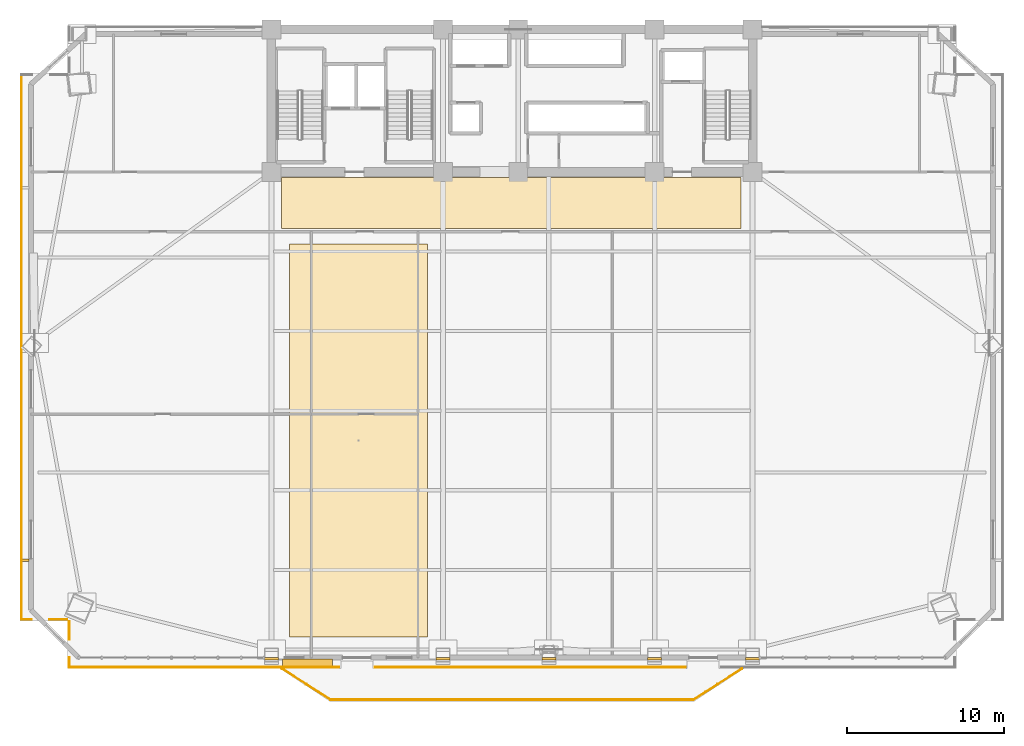
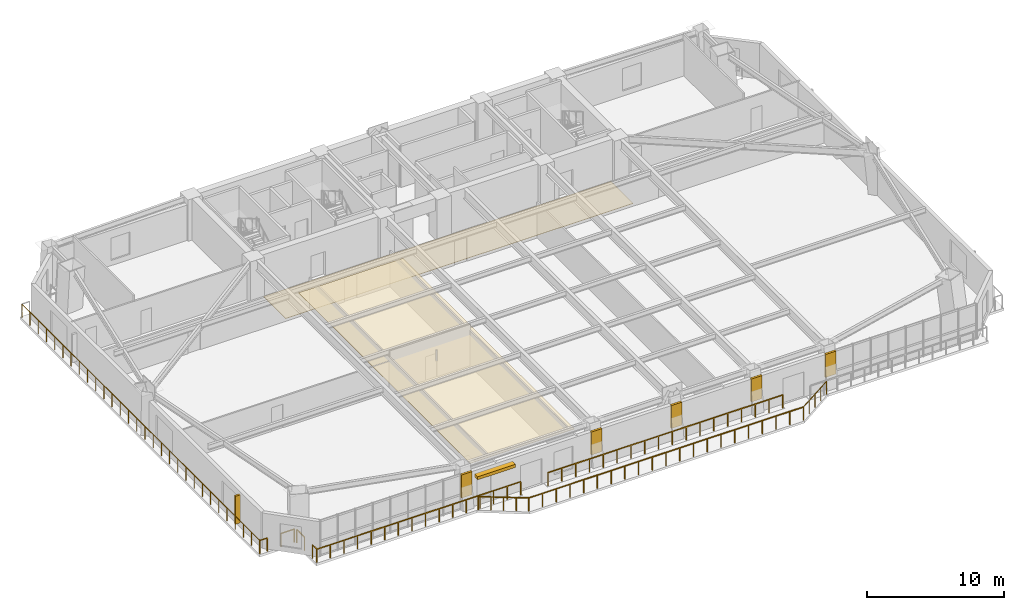
# One storey, part 12 of 15: 10 railings, 7 coverings, 2 shading devices.
"""IFC4 building model written with IfcOpenShell, lengths in metres."""

from ifc_helpers import new_model, si_unit, direction, frame, origin, origin_2d, place, context, subcontext, project, spatial, polyline, rectangle, outline, extrude, source, transform, mapped, material, layer, layer_set, type_object, element, save


model = new_model("IFC4")

# Units and contexts
model_context = context("Model", 3, precision=1e-05, world=origin(), true_north=direction((0.0, 1.0)))
body_context = subcontext(model_context, "Body", "Model", "MODEL_VIEW")
ifc_project = project(units=[si_unit("LENGTHUNIT", "METRE"), si_unit("AREAUNIT", "SQUARE_METRE"), si_unit("VOLUMEUNIT", "CUBIC_METRE"), si_unit("PLANEANGLEUNIT", "RADIAN"), si_unit("MASSUNIT", "GRAM", prefix="KILO")], contexts=[model_context])

# Site, building, storey
site_placement = place(None, origin())
site = spatial("IfcSite", under=ifc_project, at=site_placement, CompositionType="ELEMENT")
building_placement = place(site_placement, origin())
building = spatial("IfcBuilding", under=site, at=building_placement, Name="Giltprow Tower", CompositionType="ELEMENT")
storey_placement = place(building_placement, frame((0.0, 0.0, 107.5)))
storey = spatial("IfcBuildingStorey", under=building, at=storey_placement, Name="L26", CompositionType="ELEMENT", Elevation=107.5)

# Coverings
ifc_material_1 = material(Name="Acoustic mineral fibre", Category="gypsum")
ifc_layer_1 = layer(ifc_material_1, 0.030029296875, Name="Acoustic mineral fibre")
ifc_layer_set_1 = layer_set([ifc_layer_1], Name="Acoustic mineral fibre")
covering_type_1 = type_object("IfcCoveringType", Name="COV-CLG-ACOUSTIC", PredefinedType="CEILING", material=ifc_layer_set_1)
covering_1_placement = place(storey_placement, frame((0.0, 0.0, 2.719970703125)))
element("IfcCovering", 1, at=covering_1_placement, inside=storey, type_object=covering_type_1, Name="L26 Office Acoustic Ceiling", PredefinedType="CEILING", context=body_context, shape_type="SweptSolid", body=[
    extrude(outline(polyline([(21.0, 7.7900390625), (29.800048828125, 7.7900390625), (29.800048828125, 32.85009765625), (21.0, 32.85009765625), (21.0, 7.7900390625)])), origin(), (0.0, 0.0, 1.0), 0.030029296875),
])
ifc_material_2 = material(Name="Honed granite", Category="masonry")
ifc_layer_2 = layer(ifc_material_2, 0.030029296875, Name="Honed granite")
ifc_layer_set_2 = layer_set([ifc_layer_2], Name="Honed granite")
covering_type_2 = type_object("IfcCoveringType", Name="COV-FLR-STONE", PredefinedType="FLOORING", material=ifc_layer_set_2)
covering_2_placement = place(storey_placement, origin())
element("IfcCovering", 2, at=covering_2_placement, inside=storey, type_object=covering_type_2, Name="L26 Office Corridor Stone Flooring", PredefinedType="FLOORING", context=body_context, shape_type="SweptSolid", body=[
    extrude(outline(polyline([(20.5, 33.85009765625), (49.800048828125, 33.85009765625), (49.800048828125, 37.10009765625), (20.5, 37.10009765625), (20.5, 33.85009765625)])), origin(), (0.0, 0.0, 1.0), 0.030029296875),
])
ifc_material_3 = material(Name="Anodized bronze", Category="metal")
ifc_layer_3 = layer(ifc_material_3, 0.0400390625, Name="Anodized bronze")
ifc_layer_set_3 = layer_set([ifc_layer_3], Name="Anodized bronze")
covering_type_3 = type_object("IfcCoveringType", Name="COV-SOFFIT-BRONZE", PredefinedType="CLADDING", material=ifc_layer_set_3)
covering_3_placement = place(storey_placement, frame((0.0, 0.0, 1.10009765625)))
element("IfcCovering", 3, at=covering_3_placement, inside=storey, type_object=covering_type_3, Name="L26 Setback Pier Closure Cladding S-1", PredefinedType="CLADDING", context=body_context, shape_type="SweptSolid", body=[
    extrude(outline(polyline([(19.39990234375, 6.302001953125), (20.300048828125, 6.302001953125), (20.300048828125, 6.48193359375), (19.39990234375, 6.48193359375), (19.39990234375, 6.302001953125)])), origin(), (0.0, 0.0, 1.0), 2.059814453125),
])
covering_4_placement = place(storey_placement, frame((0.0, 0.0, 1.10009765625)))
element("IfcCovering", 4, at=covering_4_placement, inside=storey, type_object=covering_type_3, Name="L26 Setback Pier Closure Cladding S-2", PredefinedType="CLADDING", context=body_context, shape_type="SweptSolid", body=[
    extrude(outline(polyline([(30.35009765625, 6.302001953125), (31.25, 6.302001953125), (31.25, 6.48193359375), (30.35009765625, 6.48193359375), (30.35009765625, 6.302001953125)])), origin(), (0.0, 0.0, 1.0), 2.059814453125),
])
covering_5_placement = place(storey_placement, frame((0.0, 0.0, 1.10009765625)))
element("IfcCovering", 5, at=covering_5_placement, inside=storey, type_object=covering_type_3, Name="L26 Setback Pier Closure Cladding S-3", PredefinedType="CLADDING", context=body_context, shape_type="SweptSolid", body=[
    extrude(outline(polyline([(37.10009765625, 6.302001953125), (38.0, 6.302001953125), (38.0, 6.48193359375), (37.10009765625, 6.48193359375), (37.10009765625, 6.302001953125)])), origin(), (0.0, 0.0, 1.0), 2.059814453125),
])
covering_6_placement = place(storey_placement, frame((0.0, 0.0, 1.10009765625)))
element("IfcCovering", 6, at=covering_6_placement, inside=storey, type_object=covering_type_3, Name="L26 Setback Pier Closure Cladding S-4", PredefinedType="CLADDING", context=body_context, shape_type="SweptSolid", body=[
    extrude(outline(polyline([(43.85009765625, 6.302001953125), (44.75, 6.302001953125), (44.75, 6.48193359375), (43.85009765625, 6.48193359375), (43.85009765625, 6.302001953125)])), origin(), (0.0, 0.0, 1.0), 2.059814453125),
])
covering_7_placement = place(storey_placement, frame((0.0, 0.0, 1.10009765625)))
element("IfcCovering", 7, at=covering_7_placement, inside=storey, type_object=covering_type_3, Name="L26 Setback Pier Closure Cladding S-5", PredefinedType="CLADDING", context=body_context, shape_type="SweptSolid", body=[
    extrude(outline(polyline([(50.10009765625, 6.302001953125), (51.0, 6.302001953125), (51.0, 6.48193359375), (50.10009765625, 6.48193359375), (50.10009765625, 6.302001953125)])), origin(), (0.0, 0.0, 1.0), 2.059814453125),
])

# Railings
railing_type = type_object("IfcRailingType", Name="RAIL-BALC-GUARD-1200", PredefinedType="BALUSTRADE", material=ifc_material_3)
railing_1_placement = place(storey_placement, frame((20.52001953125, 5.761962890625, 0.0)))
element("IfcRailing", 8, at=railing_1_placement, inside=storey, type_object=railing_type, Name="L26 Waterfront Balcony Balustrade Seg 1", PredefinedType="BALUSTRADE", context=body_context, shape_type="SweptSolid", body=[
    extrude(rectangle(XDim=0.048095703125, YDim=0.048095703125, at=origin_2d()), frame((0.0, 0.0, 1.17578125), z_axis=(0.84277487735, -0.538266203757, 0.0), x_axis=(0.538266203757, 0.84277487735, 0.0)), (0.0, 0.0, 1.0), 3.678466796875),
    extrude(rectangle(XDim=0.0419921875, YDim=0.0419921875, at=origin_2d()), origin(), (0.0, 0.0, 1.0), 1.15185546875),
    extrude(rectangle(XDim=0.0419921875, YDim=0.0419921875, at=origin_2d()), frame((0.77490234375, -0.4951171875, 0.0)), (0.0, 0.0, 1.0), 1.15185546875),
    extrude(rectangle(XDim=0.0419921875, YDim=0.0419921875, at=origin_2d()), frame((1.550048828125, -0.989990234375, 0.0)), (0.0, 0.0, 1.0), 1.15185546875),
    extrude(rectangle(XDim=0.0419921875, YDim=0.0419921875, at=origin_2d()), frame((2.3251953125, -1.48486328125, 0.0)), (0.0, 0.0, 1.0), 1.15185546875),
    extrude(rectangle(XDim=0.0419921875, YDim=0.0419921875, at=origin_2d()), frame((3.10009765625, -1.97998046875, 0.0)), (0.0, 0.0, 1.0), 1.15185546875),
])
railing_2_placement = place(storey_placement, frame((23.6201171875, 3.781982421875, 0.0)))
element("IfcRailing", 9, at=railing_2_placement, inside=storey, type_object=railing_type, Name="L26 Waterfront Balcony Balustrade Seg 2", PredefinedType="BALUSTRADE", context=body_context, shape_type="SweptSolid", body=[
    extrude(rectangle(XDim=0.048095703125, YDim=0.048095703125, at=origin_2d()), frame((0.0, 0.0, 1.17578125), z_axis=(1.0, 0.0, 0.0), x_axis=(0.0, 1.0, 0.0)), (0.0, 0.0, 1.0), 23.159912109375),
    extrude(rectangle(XDim=0.0419921875, YDim=0.0419921875, at=origin_2d()), origin(), (0.0, 0.0, 1.0), 1.15185546875),
    extrude(rectangle(XDim=0.0419921875, YDim=0.0419921875, at=origin_2d()), frame((1.157958984375, 0.0, 0.0)), (0.0, 0.0, 1.0), 1.15185546875),
    extrude(rectangle(XDim=0.0419921875, YDim=0.0419921875, at=origin_2d()), frame((2.31591796875, 0.0, 0.0)), (0.0, 0.0, 1.0), 1.15185546875),
    extrude(rectangle(XDim=0.0419921875, YDim=0.0419921875, at=origin_2d()), frame((3.473876953125, 0.0, 0.0)), (0.0, 0.0, 1.0), 1.15185546875),
    extrude(rectangle(XDim=0.0419921875, YDim=0.0419921875, at=origin_2d()), frame((4.632080078125, 0.0, 0.0)), (0.0, 0.0, 1.0), 1.15185546875),
    extrude(rectangle(XDim=0.0419921875, YDim=0.0419921875, at=origin_2d()), frame((5.7900390625, 0.0, 0.0)), (0.0, 0.0, 1.0), 1.15185546875),
    extrude(rectangle(XDim=0.0419921875, YDim=0.0419921875, at=origin_2d()), frame((6.947998046875, 0.0, 0.0)), (0.0, 0.0, 1.0), 1.15185546875),
    extrude(rectangle(XDim=0.0419921875, YDim=0.0419921875, at=origin_2d()), frame((8.10595703125, 0.0, 0.0)), (0.0, 0.0, 1.0), 1.15185546875),
    extrude(rectangle(XDim=0.0419921875, YDim=0.0419921875, at=origin_2d()), frame((9.263916015625, 0.0, 0.0)), (0.0, 0.0, 1.0), 1.15185546875),
    extrude(rectangle(XDim=0.0419921875, YDim=0.0419921875, at=origin_2d()), frame((10.421875, 0.0, 0.0)), (0.0, 0.0, 1.0), 1.15185546875),
    extrude(rectangle(XDim=0.0419921875, YDim=0.0419921875, at=origin_2d()), frame((11.580078125, 0.0, 0.0)), (0.0, 0.0, 1.0), 1.15185546875),
    extrude(rectangle(XDim=0.0419921875, YDim=0.0419921875, at=origin_2d()), frame((12.738037109375, 0.0, 0.0)), (0.0, 0.0, 1.0), 1.15185546875),
    extrude(rectangle(XDim=0.0419921875, YDim=0.0419921875, at=origin_2d()), frame((13.89599609375, 0.0, 0.0)), (0.0, 0.0, 1.0), 1.15185546875),
    extrude(rectangle(XDim=0.0419921875, YDim=0.0419921875, at=origin_2d()), frame((15.053955078125, 0.0, 0.0)), (0.0, 0.0, 1.0), 1.15185546875),
    extrude(rectangle(XDim=0.0419921875, YDim=0.0419921875, at=origin_2d()), frame((16.2119140625, 0.0, 0.0)), (0.0, 0.0, 1.0), 1.15185546875),
    extrude(rectangle(XDim=0.0419921875, YDim=0.0419921875, at=origin_2d()), frame((17.369873046875, 0.0, 0.0)), (0.0, 0.0, 1.0), 1.15185546875),
    extrude(rectangle(XDim=0.0419921875, YDim=0.0419921875, at=origin_2d()), frame((18.52783203125, 0.0, 0.0)), (0.0, 0.0, 1.0), 1.15185546875),
    extrude(rectangle(XDim=0.0419921875, YDim=0.0419921875, at=origin_2d()), frame((19.68603515625, 0.0, 0.0)), (0.0, 0.0, 1.0), 1.15185546875),
    extrude(rectangle(XDim=0.0419921875, YDim=0.0419921875, at=origin_2d()), frame((20.843994140625, 0.0, 0.0)), (0.0, 0.0, 1.0), 1.15185546875),
    extrude(rectangle(XDim=0.0419921875, YDim=0.0419921875, at=origin_2d()), frame((22.001953125, 0.0, 0.0)), (0.0, 0.0, 1.0), 1.15185546875),
    extrude(rectangle(XDim=0.0419921875, YDim=0.0419921875, at=origin_2d()), frame((23.159912109375, 0.0, 0.0)), (0.0, 0.0, 1.0), 1.15185546875),
])
railing_3_placement = place(storey_placement, frame((46.780029296875, 3.781982421875, 0.0)))
element("IfcRailing", 10, at=railing_3_placement, inside=storey, type_object=railing_type, Name="L26 Waterfront Balcony Balustrade Seg 3", PredefinedType="BALUSTRADE", context=body_context, shape_type="SweptSolid", body=[
    extrude(rectangle(XDim=0.048095703125, YDim=0.048095703125, at=origin_2d()), frame((0.0, 0.0, 1.17578125), z_axis=(0.842755646126, 0.538296313309, 0.0), x_axis=(-0.538296313309, 0.842755646126, 0.0)), (0.0, 0.0, 1.0), 3.67822265625),
    extrude(rectangle(XDim=0.0419921875, YDim=0.0419921875, at=origin_2d()), origin(), (0.0, 0.0, 1.0), 1.15185546875),
    extrude(rectangle(XDim=0.0419921875, YDim=0.0419921875, at=origin_2d()), frame((0.77490234375, 0.4951171875, 0.0)), (0.0, 0.0, 1.0), 1.15185546875),
    extrude(rectangle(XDim=0.0419921875, YDim=0.0419921875, at=origin_2d()), frame((1.5498046875, 0.989990234375, 0.0)), (0.0, 0.0, 1.0), 1.15185546875),
    extrude(rectangle(XDim=0.0419921875, YDim=0.0419921875, at=origin_2d()), frame((2.324951171875, 1.48486328125, 0.0)), (0.0, 0.0, 1.0), 1.15185546875),
    extrude(rectangle(XDim=0.0419921875, YDim=0.0419921875, at=origin_2d()), frame((3.099853515625, 1.97998046875, 0.0)), (0.0, 0.0, 1.0), 1.15185546875),
])
railing_4_placement = place(storey_placement, frame((6.952880859375, 5.862060546875, 0.0)))
element("IfcRailing", 11, at=railing_4_placement, inside=storey, type_object=railing_type, Name="L26 Corner Apron Edge Balustrade 1", PredefinedType="BALUSTRADE", context=body_context, shape_type="SweptSolid", body=[
    extrude(rectangle(XDim=0.048095703125, YDim=0.048095703125, at=origin_2d()), frame((0.0, 0.0, 1.17578125), z_axis=(0.0, 1.0, 0.0), x_axis=(-1.0, 0.0, 0.0)), (0.0, 0.0, 1.0), 0.619873046875),
    extrude(rectangle(XDim=0.0419921875, YDim=0.0419921875, at=origin_2d()), origin(), (0.0, 0.0, 1.0), 1.15185546875),
    extrude(rectangle(XDim=0.0419921875, YDim=0.0419921875, at=origin_2d()), frame((0.0, 0.619873046875, 0.0)), (0.0, 0.0, 1.0), 1.15185546875),
])
railing_5_placement = place(storey_placement, frame((6.952880859375, 7.64208984375, 0.0)))
element("IfcRailing", 12, at=railing_5_placement, inside=storey, type_object=railing_type, Name="L26 Corner Apron Edge Balustrade 2", PredefinedType="BALUSTRADE", context=body_context, shape_type="SweptSolid", body=[
    extrude(rectangle(XDim=0.048095703125, YDim=0.048095703125, at=origin_2d()), frame((0.0, 0.0, 1.17578125), z_axis=(0.0, 1.0, 0.0), x_axis=(-1.0, 0.0, 0.0)), (0.0, 0.0, 1.0), 1.1279296875),
    extrude(rectangle(XDim=0.0419921875, YDim=0.0419921875, at=origin_2d()), origin(), (0.0, 0.0, 1.0), 1.15185546875),
    extrude(rectangle(XDim=0.0419921875, YDim=0.0419921875, at=origin_2d()), frame((0.0, 1.1279296875, 0.0)), (0.0, 0.0, 1.0), 1.15185546875),
])
railing_6_placement = place(storey_placement, frame((6.818115234375, 8.905029296875, 0.0)))
element("IfcRailing", 13, at=railing_6_placement, inside=storey, type_object=railing_type, Name="L26 Corner Apron Edge Balustrade 3", PredefinedType="BALUSTRADE", context=body_context, shape_type="SweptSolid", body=[
    extrude(rectangle(XDim=0.048095703125, YDim=0.048095703125, at=origin_2d()), frame((0.0, 0.0, 1.17578125), z_axis=(-1.0, 0.0, 0.0), x_axis=(0.0, -1.0, 0.0)), (0.0, 0.0, 1.0), 1.128173828125),
    extrude(rectangle(XDim=0.0419921875, YDim=0.0419921875, at=origin_2d()), origin(), (0.0, 0.0, 1.0), 1.15185546875),
    extrude(rectangle(XDim=0.0419921875, YDim=0.0419921875, at=origin_2d()), frame((-1.128173828125, 0.0, 0.0)), (0.0, 0.0, 1.0), 1.15185546875),
])
railing_7_placement = place(storey_placement, frame((4.530029296875, 8.905029296875, 0.0)))
element("IfcRailing", 14, at=railing_7_placement, inside=storey, type_object=railing_type, Name="L26 Corner Apron Edge Balustrade 4", PredefinedType="BALUSTRADE", context=body_context, shape_type="SweptSolid", body=[
    extrude(rectangle(XDim=0.048095703125, YDim=0.048095703125, at=origin_2d()), frame((0.0, 0.0, 1.17578125), z_axis=(-1.0, 0.0, 0.0), x_axis=(0.0, -1.0, 0.0)), (0.0, 0.0, 1.0), 0.6201171875),
    extrude(rectangle(XDim=0.0419921875, YDim=0.0419921875, at=origin_2d()), origin(), (0.0, 0.0, 1.0), 1.15185546875),
    extrude(rectangle(XDim=0.0419921875, YDim=0.0419921875, at=origin_2d()), frame((-0.6201171875, 0.0, 0.0)), (0.0, 0.0, 1.0), 1.15185546875),
])
railing_8_placement = place(storey_placement, frame((3.909912109375, 8.905029296875, 0.0)))
element("IfcRailing", 15, at=railing_8_placement, inside=storey, type_object=railing_type, Name="L26 Corner Apron Edge Balustrade 5", PredefinedType="BALUSTRADE", context=body_context, shape_type="SweptSolid", body=[
    extrude(rectangle(XDim=0.048095703125, YDim=0.048095703125, at=origin_2d()), frame((0.0, 0.0, 1.17578125), z_axis=(0.0, 1.0, 0.0), x_axis=(-1.0, 0.0, 0.0)), (0.0, 0.0, 1.0), 34.7509765625),
    extrude(rectangle(XDim=0.0419921875, YDim=0.0419921875, at=origin_2d()), origin(), (0.0, 0.0, 1.0), 1.15185546875),
    extrude(rectangle(XDim=0.0419921875, YDim=0.0419921875, at=origin_2d()), frame((0.0, 1.1982421875, 0.0)), (0.0, 0.0, 1.0), 1.15185546875),
    extrude(rectangle(XDim=0.0419921875, YDim=0.0419921875, at=origin_2d()), frame((0.0, 2.396728515625, 0.0)), (0.0, 0.0, 1.0), 1.15185546875),
    extrude(rectangle(XDim=0.0419921875, YDim=0.0419921875, at=origin_2d()), frame((0.0, 3.594970703125, 0.0)), (0.0, 0.0, 1.0), 1.15185546875),
    extrude(rectangle(XDim=0.0419921875, YDim=0.0419921875, at=origin_2d()), frame((0.0, 4.793212890625, 0.0)), (0.0, 0.0, 1.0), 1.15185546875),
    extrude(rectangle(XDim=0.0419921875, YDim=0.0419921875, at=origin_2d()), frame((0.0, 5.991455078125, 0.0)), (0.0, 0.0, 1.0), 1.15185546875),
    extrude(rectangle(XDim=0.0419921875, YDim=0.0419921875, at=origin_2d()), frame((0.0, 7.18994140625, 0.0)), (0.0, 0.0, 1.0), 1.15185546875),
    extrude(rectangle(XDim=0.0419921875, YDim=0.0419921875, at=origin_2d()), frame((0.0, 8.38818359375, 0.0)), (0.0, 0.0, 1.0), 1.15185546875),
    extrude(rectangle(XDim=0.0419921875, YDim=0.0419921875, at=origin_2d()), frame((0.0, 9.58642578125, 0.0)), (0.0, 0.0, 1.0), 1.15185546875),
    extrude(rectangle(XDim=0.0419921875, YDim=0.0419921875, at=origin_2d()), frame((0.0, 10.78466796875, 0.0)), (0.0, 0.0, 1.0), 1.15185546875),
    extrude(rectangle(XDim=0.0419921875, YDim=0.0419921875, at=origin_2d()), frame((0.0, 11.983154296875, 0.0)), (0.0, 0.0, 1.0), 1.15185546875),
    extrude(rectangle(XDim=0.0419921875, YDim=0.0419921875, at=origin_2d()), frame((0.0, 13.181396484375, 0.0)), (0.0, 0.0, 1.0), 1.15185546875),
    extrude(rectangle(XDim=0.0419921875, YDim=0.0419921875, at=origin_2d()), frame((0.0, 14.379638671875, 0.0)), (0.0, 0.0, 1.0), 1.15185546875),
    extrude(rectangle(XDim=0.0419921875, YDim=0.0419921875, at=origin_2d()), frame((0.0, 15.578125, 0.0)), (0.0, 0.0, 1.0), 1.15185546875),
    extrude(rectangle(XDim=0.0419921875, YDim=0.0419921875, at=origin_2d()), frame((0.0, 16.7763671875, 0.0)), (0.0, 0.0, 1.0), 1.15185546875),
    extrude(rectangle(XDim=0.0419921875, YDim=0.0419921875, at=origin_2d()), frame((0.0, 17.974609375, 0.0)), (0.0, 0.0, 1.0), 1.15185546875),
    extrude(rectangle(XDim=0.0419921875, YDim=0.0419921875, at=origin_2d()), frame((0.0, 19.1728515625, 0.0)), (0.0, 0.0, 1.0), 1.15185546875),
    extrude(rectangle(XDim=0.0419921875, YDim=0.0419921875, at=origin_2d()), frame((0.0, 20.371337890625, 0.0)), (0.0, 0.0, 1.0), 1.15185546875),
    extrude(rectangle(XDim=0.0419921875, YDim=0.0419921875, at=origin_2d()), frame((0.0, 21.569580078125, 0.0)), (0.0, 0.0, 1.0), 1.15185546875),
    extrude(rectangle(XDim=0.0419921875, YDim=0.0419921875, at=origin_2d()), frame((0.0, 22.767822265625, 0.0)), (0.0, 0.0, 1.0), 1.15185546875),
    extrude(rectangle(XDim=0.0419921875, YDim=0.0419921875, at=origin_2d()), frame((0.0, 23.96630859375, 0.0)), (0.0, 0.0, 1.0), 1.15185546875),
    extrude(rectangle(XDim=0.0419921875, YDim=0.0419921875, at=origin_2d()), frame((0.0, 25.16455078125, 0.0)), (0.0, 0.0, 1.0), 1.15185546875),
    extrude(rectangle(XDim=0.0419921875, YDim=0.0419921875, at=origin_2d()), frame((0.0, 26.36279296875, 0.0)), (0.0, 0.0, 1.0), 1.15185546875),
    extrude(rectangle(XDim=0.0419921875, YDim=0.0419921875, at=origin_2d()), frame((0.0, 27.56103515625, 0.0)), (0.0, 0.0, 1.0), 1.15185546875),
    extrude(rectangle(XDim=0.0419921875, YDim=0.0419921875, at=origin_2d()), frame((0.0, 28.759521484375, 0.0)), (0.0, 0.0, 1.0), 1.15185546875),
    extrude(rectangle(XDim=0.0419921875, YDim=0.0419921875, at=origin_2d()), frame((0.0, 29.957763671875, 0.0)), (0.0, 0.0, 1.0), 1.15185546875),
    extrude(rectangle(XDim=0.0419921875, YDim=0.0419921875, at=origin_2d()), frame((0.0, 31.156005859375, 0.0)), (0.0, 0.0, 1.0), 1.15185546875),
    extrude(rectangle(XDim=0.0419921875, YDim=0.0419921875, at=origin_2d()), frame((0.0, 32.354248046875, 0.0)), (0.0, 0.0, 1.0), 1.15185546875),
    extrude(rectangle(XDim=0.0419921875, YDim=0.0419921875, at=origin_2d()), frame((0.0, 33.552734375, 0.0)), (0.0, 0.0, 1.0), 1.15185546875),
    extrude(rectangle(XDim=0.0419921875, YDim=0.0419921875, at=origin_2d()), frame((0.0, 34.7509765625, 0.0)), (0.0, 0.0, 1.0), 1.15185546875),
])
railing_9_placement = place(storey_placement, frame((46.25, 5.862060546875, 0.0)))
element("IfcRailing", 16, at=railing_9_placement, inside=storey, type_object=railing_type, Name="L26 Corner Apron Edge Balustrade 22", PredefinedType="BALUSTRADE", context=body_context, shape_type="SweptSolid", body=[
    extrude(rectangle(XDim=0.048095703125, YDim=0.048095703125, at=origin_2d()), frame((0.0, 0.0, 1.17578125), z_axis=(-1.0, 0.0, 0.0), x_axis=(0.0, -1.0, 0.0)), (0.0, 0.0, 1.0), 19.800048828125),
    extrude(rectangle(XDim=0.0419921875, YDim=0.0419921875, at=origin_2d()), origin(), (0.0, 0.0, 1.0), 1.15185546875),
    extrude(rectangle(XDim=0.0419921875, YDim=0.0419921875, at=origin_2d()), frame((-1.164794921875, 0.0, 0.0)), (0.0, 0.0, 1.0), 1.15185546875),
    extrude(rectangle(XDim=0.0419921875, YDim=0.0419921875, at=origin_2d()), frame((-2.329345703125, 0.0, 0.0)), (0.0, 0.0, 1.0), 1.15185546875),
    extrude(rectangle(XDim=0.0419921875, YDim=0.0419921875, at=origin_2d()), frame((-3.494140625, 0.0, 0.0)), (0.0, 0.0, 1.0), 1.15185546875),
    extrude(rectangle(XDim=0.0419921875, YDim=0.0419921875, at=origin_2d()), frame((-4.658935546875, 0.0, 0.0)), (0.0, 0.0, 1.0), 1.15185546875),
    extrude(rectangle(XDim=0.0419921875, YDim=0.0419921875, at=origin_2d()), frame((-5.823486328125, 0.0, 0.0)), (0.0, 0.0, 1.0), 1.15185546875),
    extrude(rectangle(XDim=0.0419921875, YDim=0.0419921875, at=origin_2d()), frame((-6.98828125, 0.0, 0.0)), (0.0, 0.0, 1.0), 1.15185546875),
    extrude(rectangle(XDim=0.0419921875, YDim=0.0419921875, at=origin_2d()), frame((-8.153076171875, 0.0, 0.0)), (0.0, 0.0, 1.0), 1.15185546875),
    extrude(rectangle(XDim=0.0419921875, YDim=0.0419921875, at=origin_2d()), frame((-9.317626953125, 0.0, 0.0)), (0.0, 0.0, 1.0), 1.15185546875),
    extrude(rectangle(XDim=0.0419921875, YDim=0.0419921875, at=origin_2d()), frame((-10.482421875, 0.0, 0.0)), (0.0, 0.0, 1.0), 1.15185546875),
    extrude(rectangle(XDim=0.0419921875, YDim=0.0419921875, at=origin_2d()), frame((-11.64697265625, 0.0, 0.0)), (0.0, 0.0, 1.0), 1.15185546875),
    extrude(rectangle(XDim=0.0419921875, YDim=0.0419921875, at=origin_2d()), frame((-12.811767578125, 0.0, 0.0)), (0.0, 0.0, 1.0), 1.15185546875),
    extrude(rectangle(XDim=0.0419921875, YDim=0.0419921875, at=origin_2d()), frame((-13.9765625, 0.0, 0.0)), (0.0, 0.0, 1.0), 1.15185546875),
    extrude(rectangle(XDim=0.0419921875, YDim=0.0419921875, at=origin_2d()), frame((-15.14111328125, 0.0, 0.0)), (0.0, 0.0, 1.0), 1.15185546875),
    extrude(rectangle(XDim=0.0419921875, YDim=0.0419921875, at=origin_2d()), frame((-16.305908203125, 0.0, 0.0)), (0.0, 0.0, 1.0), 1.15185546875),
    extrude(rectangle(XDim=0.0419921875, YDim=0.0419921875, at=origin_2d()), frame((-17.470703125, 0.0, 0.0)), (0.0, 0.0, 1.0), 1.15185546875),
    extrude(rectangle(XDim=0.0419921875, YDim=0.0419921875, at=origin_2d()), frame((-18.63525390625, 0.0, 0.0)), (0.0, 0.0, 1.0), 1.15185546875),
    extrude(rectangle(XDim=0.0419921875, YDim=0.0419921875, at=origin_2d()), frame((-19.800048828125, 0.0, 0.0)), (0.0, 0.0, 1.0), 1.15185546875),
])
railing_10_placement = place(storey_placement, frame((24.14990234375, 5.862060546875, 0.0)))
element("IfcRailing", 17, at=railing_10_placement, inside=storey, type_object=railing_type, Name="L26 Corner Apron Edge Balustrade 23", PredefinedType="BALUSTRADE", context=body_context, shape_type="SweptSolid", body=[
    extrude(rectangle(XDim=0.048095703125, YDim=0.048095703125, at=origin_2d()), frame((0.0, 0.0, 1.17578125), z_axis=(-1.0, 0.0, 0.0), x_axis=(0.0, -1.0, 0.0)), (0.0, 0.0, 1.0), 17.197021484375),
    extrude(rectangle(XDim=0.0419921875, YDim=0.0419921875, at=origin_2d()), origin(), (0.0, 0.0, 1.0), 1.15185546875),
    extrude(rectangle(XDim=0.0419921875, YDim=0.0419921875, at=origin_2d()), frame((-1.146484375, 0.0, 0.0)), (0.0, 0.0, 1.0), 1.15185546875),
    extrude(rectangle(XDim=0.0419921875, YDim=0.0419921875, at=origin_2d()), frame((-2.29296875, 0.0, 0.0)), (0.0, 0.0, 1.0), 1.15185546875),
    extrude(rectangle(XDim=0.0419921875, YDim=0.0419921875, at=origin_2d()), frame((-3.439453125, 0.0, 0.0)), (0.0, 0.0, 1.0), 1.15185546875),
    extrude(rectangle(XDim=0.0419921875, YDim=0.0419921875, at=origin_2d()), frame((-4.5859375, 0.0, 0.0)), (0.0, 0.0, 1.0), 1.15185546875),
    extrude(rectangle(XDim=0.0419921875, YDim=0.0419921875, at=origin_2d()), frame((-5.732421875, 0.0, 0.0)), (0.0, 0.0, 1.0), 1.15185546875),
    extrude(rectangle(XDim=0.0419921875, YDim=0.0419921875, at=origin_2d()), frame((-6.87890625, 0.0, 0.0)), (0.0, 0.0, 1.0), 1.15185546875),
    extrude(rectangle(XDim=0.0419921875, YDim=0.0419921875, at=origin_2d()), frame((-8.025390625, 0.0, 0.0)), (0.0, 0.0, 1.0), 1.15185546875),
    extrude(rectangle(XDim=0.0419921875, YDim=0.0419921875, at=origin_2d()), frame((-9.171630859375, 0.0, 0.0)), (0.0, 0.0, 1.0), 1.15185546875),
    extrude(rectangle(XDim=0.0419921875, YDim=0.0419921875, at=origin_2d()), frame((-10.318115234375, 0.0, 0.0)), (0.0, 0.0, 1.0), 1.15185546875),
    extrude(rectangle(XDim=0.0419921875, YDim=0.0419921875, at=origin_2d()), frame((-11.464599609375, 0.0, 0.0)), (0.0, 0.0, 1.0), 1.15185546875),
    extrude(rectangle(XDim=0.0419921875, YDim=0.0419921875, at=origin_2d()), frame((-12.611083984375, 0.0, 0.0)), (0.0, 0.0, 1.0), 1.15185546875),
    extrude(rectangle(XDim=0.0419921875, YDim=0.0419921875, at=origin_2d()), frame((-13.757568359375, 0.0, 0.0)), (0.0, 0.0, 1.0), 1.15185546875),
    extrude(rectangle(XDim=0.0419921875, YDim=0.0419921875, at=origin_2d()), frame((-14.904052734375, 0.0, 0.0)), (0.0, 0.0, 1.0), 1.15185546875),
    extrude(rectangle(XDim=0.0419921875, YDim=0.0419921875, at=origin_2d()), frame((-16.050537109375, 0.0, 0.0)), (0.0, 0.0, 1.0), 1.15185546875),
    extrude(rectangle(XDim=0.0419921875, YDim=0.0419921875, at=origin_2d()), frame((-17.197021484375, 0.0, 0.0)), (0.0, 0.0, 1.0), 1.15185546875),
])

# Shading devices
shading_device_type_1 = type_object("IfcShadingDeviceType", Name="SHD-FIN-420", PredefinedType="USERDEFINED", material=ifc_material_3)
shared_shape_1 = source(origin(), body_context, "Body", "SweptSolid", [
    extrude(rectangle(XDim=0.419921875, YDim=0.159912109375, at=origin_2d()), origin(), (0.0, 0.0, 1.0), 2.5),
])
shading_device_1_placement = place(storey_placement, frame((4.18994140625, 12.669921875, 0.35009765625), z_axis=(0.0, 0.0, 1.0), x_axis=(1.0, 0.0, 0.0)))
element("IfcShadingDevice", 18, at=shading_device_1_placement, inside=storey, type_object=shading_device_type_1, Name="L26 W Bronze Vertical Fin 1-1", ObjectType="FIN", PredefinedType="USERDEFINED", context=body_context, shape_type="MappedRepresentation", body=[
    mapped(shared_shape_1, transform((0.0, 0.0, 0.0), x_axis=(1.0, 0.0, 0.0), y_axis=(0.0, 1.0, 0.0), z_axis=(0.0, 0.0, 1.0), scale=1.0)),
])
shading_device_type_2 = type_object("IfcShadingDeviceType", Name="SHD-LOUVRE-320", PredefinedType="JALOUSIE", material=ifc_material_3)
shared_shape_2 = source(origin(), body_context, "Body", "SweptSolid", [
    extrude(rectangle(XDim=3.199951171875, YDim=0.449951171875, at=origin_2d()), origin(), (0.0, 0.0, 1.0), 0.280029296875),
])
shading_device_2_placement = place(storey_placement, frame((22.14990234375, 6.14208984375, 2.56005859375), z_axis=(0.0, 0.0, 1.0), x_axis=(1.0, 0.0, 0.0)))
element("IfcShadingDevice", 19, at=shading_device_2_placement, inside=storey, type_object=shading_device_type_2, Name="L26 Bronze Sunshade Louvre S-2", PredefinedType="JALOUSIE", context=body_context, shape_type="MappedRepresentation", body=[
    mapped(shared_shape_2, transform((0.0, 0.0, 0.0), x_axis=(1.0, 0.0, 0.0), y_axis=(0.0, 1.0, 0.0), z_axis=(0.0, 0.0, 1.0), scale=1.0)),
])

save(model, "model.ifc")
